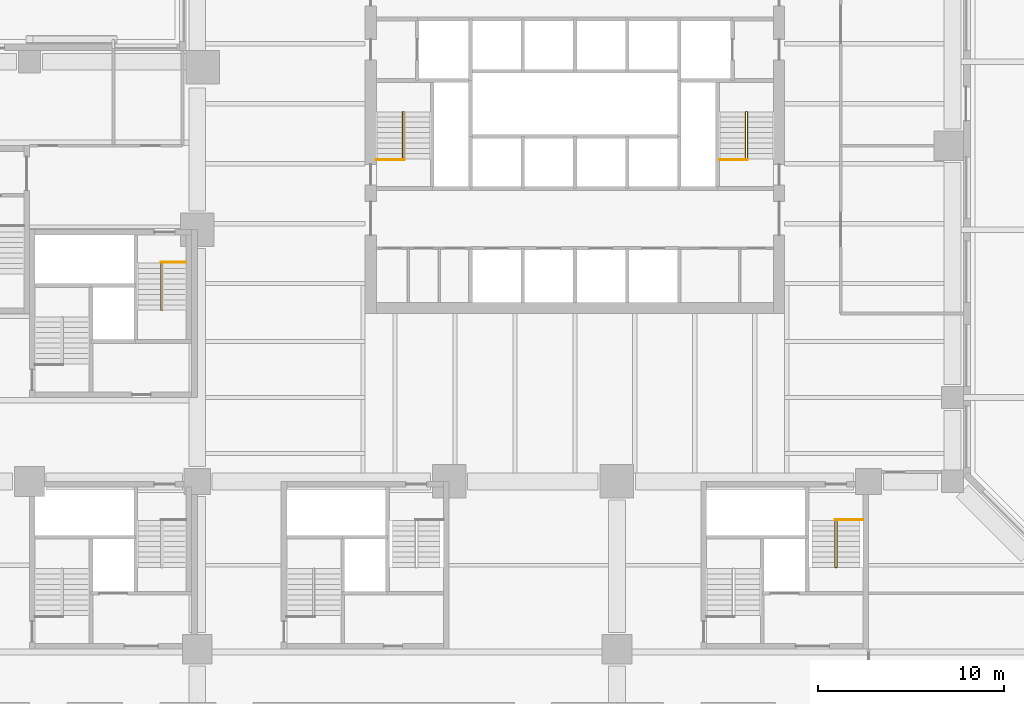
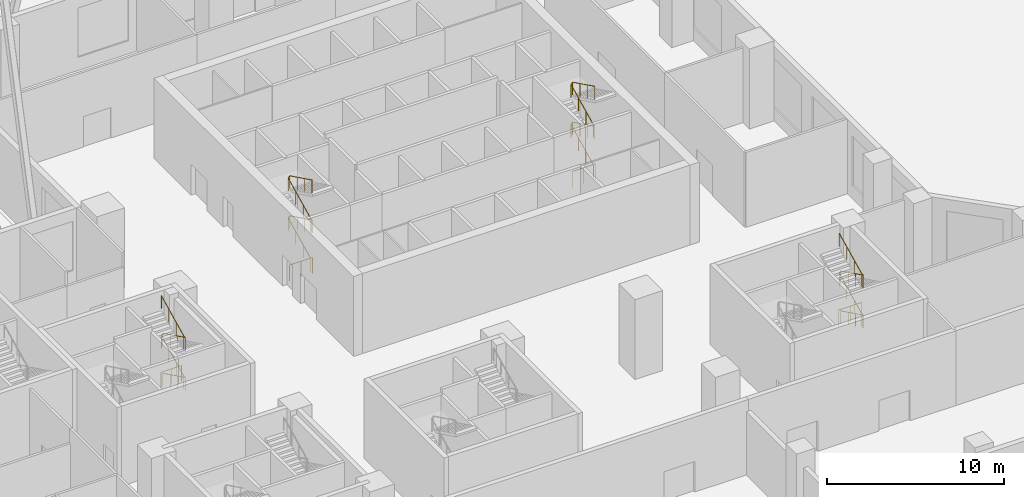
# One storey, part 33 of 33: 8 railings.
"""IFC4 building model written with IfcOpenShell, lengths in metres."""

from ifc_helpers import new_model, si_unit, direction, frame, origin, origin_2d, place, context, subcontext, project, spatial, circle, extrude, material, type_object, element, save


model = new_model("IFC4")

# Units and contexts
model_context = context("Model", 3, precision=1e-05, world=origin(), true_north=direction((0.0, 1.0)))
body_context = subcontext(model_context, "Body", "Model", "MODEL_VIEW")
ifc_project = project(units=[si_unit("LENGTHUNIT", "METRE"), si_unit("AREAUNIT", "SQUARE_METRE"), si_unit("VOLUMEUNIT", "CUBIC_METRE"), si_unit("PLANEANGLEUNIT", "RADIAN"), si_unit("MASSUNIT", "GRAM", prefix="KILO")], contexts=[model_context])

# Site, building, storey
site_placement = place(None, origin())
site = spatial("IfcSite", under=ifc_project, at=site_placement, CompositionType="ELEMENT")
building_placement = place(site_placement, origin())
building = spatial("IfcBuilding", under=site, at=building_placement, Name="Quoin Convention Tower", CompositionType="ELEMENT")
storey_placement = place(building_placement, frame((0.0, 0.0, 8.0)))
storey = spatial("IfcBuildingStorey", under=building, at=storey_placement, Name="L01", CompositionType="ELEMENT", Elevation=8.0)

# Railings
ifc_material = material(Name="Stainless steel", Category="steel")
railing_type_1 = type_object("IfcRailingType", Name="Stair handrail 900", PredefinedType="HANDRAIL", material=ifc_material)
railing_1_placement = place(storey_placement, frame((47.0048828125, 57.800048828125, 0.137451171875)))
element("IfcRailing", 1, at=railing_1_placement, inside=storey, type_object=railing_type_1, Name="SD1 handrail 1", PredefinedType="HANDRAIL", context=body_context, shape_type="SweptSolid", body=[
    extrude(circle(Radius=0.02392578125, at=origin_2d()), frame((0.0, 0.0, 0.8759765625), z_axis=(0.0, 0.897604431175, 0.440801866075), x_axis=(-1.0, 0.0, 0.0)), (0.0, 0.0, 1.0), 2.807373046875),
    extrude(circle(Radius=0.02392578125, at=origin_2d()), frame((0.0, 2.52001953125, 2.11328125), z_axis=(0.548169613923, 0.0, 0.836367188723), x_axis=(0.0, 1.0, 0.0)), (0.0, 0.0, 1.0), 0.164306640625),
    extrude(circle(Radius=0.02392578125, at=origin_2d()), frame((0.090087890625, 2.52001953125, 2.2509765625), z_axis=(0.0, -0.897604431175, 0.440801866075), x_axis=(1.0, 0.0, 0.0)), (0.0, 0.0, 1.0), 2.807373046875),
    extrude(circle(Radius=0.02392578125, at=origin_2d()), frame((0.090087890625, 0.0, 3.48828125), z_axis=(-0.548169613923, 0.0, 0.836367188723), x_axis=(0.0, -1.0, 0.0)), (0.0, 0.0, 1.0), 0.164306640625),
    extrude(circle(Radius=0.02392578125, at=origin_2d()), frame((0.0, 0.0, 3.6259765625), z_axis=(0.0, 0.897604431175, 0.440801866075), x_axis=(-1.0, 0.0, 0.0)), (0.0, 0.0, 1.0), 2.807373046875),
    extrude(circle(Radius=0.02392578125, at=origin_2d()), frame((0.0, 2.52001953125, 4.86328125), z_axis=(0.548169613923, 0.0, 0.836367188723), x_axis=(0.0, 1.0, 0.0)), (0.0, 0.0, 1.0), 0.164306640625),
    extrude(circle(Radius=0.02392578125, at=origin_2d()), frame((0.090087890625, 2.52001953125, 5.0009765625), z_axis=(0.0, -0.897604431175, 0.440801866075), x_axis=(1.0, 0.0, 0.0)), (0.0, 0.0, 1.0), 2.807373046875),
    extrude(circle(Radius=0.02099609375, at=origin_2d()), origin(), (0.0, 0.0, 1.0), 0.851806640625),
    extrude(circle(Radius=0.02099609375, at=origin_2d()), frame((0.0, 0.840087890625, 0.41259765625)), (0.0, 0.0, 1.0), 0.851806640625),
    extrude(circle(Radius=0.02099609375, at=origin_2d()), frame((0.0, 1.679931640625, 0.824951171875)), (0.0, 0.0, 1.0), 0.851806640625),
    extrude(circle(Radius=0.02099609375, at=origin_2d()), frame((0.0, 2.52001953125, 1.237548828125)), (0.0, 0.0, 1.0), 0.851806640625),
    extrude(circle(Radius=0.02099609375, at=origin_2d()), frame((0.090087890625, 2.52001953125, 1.375)), (0.0, 0.0, 1.0), 0.851806640625),
    extrude(circle(Radius=0.02099609375, at=origin_2d()), frame((0.090087890625, 1.679931640625, 1.78759765625)), (0.0, 0.0, 1.0), 0.851806640625),
    extrude(circle(Radius=0.02099609375, at=origin_2d()), frame((0.090087890625, 0.840087890625, 2.199951171875)), (0.0, 0.0, 1.0), 0.851806640625),
    extrude(circle(Radius=0.02099609375, at=origin_2d()), frame((0.090087890625, 0.0, 2.612548828125)), (0.0, 0.0, 1.0), 0.851806640625),
    extrude(circle(Radius=0.02099609375, at=origin_2d()), frame((0.0, 0.0, 2.75)), (0.0, 0.0, 1.0), 0.851806640625),
    extrude(circle(Radius=0.02099609375, at=origin_2d()), frame((0.0, 0.840087890625, 3.16259765625)), (0.0, 0.0, 1.0), 0.851806640625),
    extrude(circle(Radius=0.02099609375, at=origin_2d()), frame((0.0, 1.679931640625, 3.574951171875)), (0.0, 0.0, 1.0), 0.851806640625),
    extrude(circle(Radius=0.02099609375, at=origin_2d()), frame((0.0, 2.52001953125, 3.987548828125)), (0.0, 0.0, 1.0), 0.851806640625),
    extrude(circle(Radius=0.02099609375, at=origin_2d()), frame((0.090087890625, 2.52001953125, 4.125)), (0.0, 0.0, 1.0), 0.851806640625),
    extrude(circle(Radius=0.02099609375, at=origin_2d()), frame((0.090087890625, 1.679931640625, 4.53759765625)), (0.0, 0.0, 1.0), 0.851806640625),
    extrude(circle(Radius=0.02099609375, at=origin_2d()), frame((0.090087890625, 0.840087890625, 4.949951171875)), (0.0, 0.0, 1.0), 0.851806640625),
    extrude(circle(Radius=0.02099609375, at=origin_2d()), frame((0.090087890625, 0.0, 5.362548828125)), (0.0, 0.0, 1.0), 0.851806640625),
])
railing_2_placement = place(storey_placement, frame((65.405029296875, 57.800048828125, 0.137451171875)))
element("IfcRailing", 2, at=railing_2_placement, inside=storey, type_object=railing_type_1, Name="SD2 handrail 1", PredefinedType="HANDRAIL", context=body_context, shape_type="SweptSolid", body=[
    extrude(circle(Radius=0.02392578125, at=origin_2d()), frame((0.0, 0.0, 0.8759765625), z_axis=(0.0, 0.897604431175, 0.440801866075), x_axis=(-1.0, 0.0, 0.0)), (0.0, 0.0, 1.0), 2.807373046875),
    extrude(circle(Radius=0.02392578125, at=origin_2d()), frame((0.0, 2.52001953125, 2.11328125), z_axis=(0.548169613923, 0.0, 0.836367188723), x_axis=(0.0, 1.0, 0.0)), (0.0, 0.0, 1.0), 0.164306640625),
    extrude(circle(Radius=0.02392578125, at=origin_2d()), frame((0.090087890625, 2.52001953125, 2.2509765625), z_axis=(0.0, -0.897604431175, 0.440801866075), x_axis=(1.0, 0.0, 0.0)), (0.0, 0.0, 1.0), 2.807373046875),
    extrude(circle(Radius=0.02392578125, at=origin_2d()), frame((0.090087890625, 0.0, 3.48828125), z_axis=(-0.548169613923, 0.0, 0.836367188723), x_axis=(0.0, -1.0, 0.0)), (0.0, 0.0, 1.0), 0.164306640625),
    extrude(circle(Radius=0.02392578125, at=origin_2d()), frame((0.0, 0.0, 3.6259765625), z_axis=(0.0, 0.897604431175, 0.440801866075), x_axis=(-1.0, 0.0, 0.0)), (0.0, 0.0, 1.0), 2.807373046875),
    extrude(circle(Radius=0.02392578125, at=origin_2d()), frame((0.0, 2.52001953125, 4.86328125), z_axis=(0.548169613923, 0.0, 0.836367188723), x_axis=(0.0, 1.0, 0.0)), (0.0, 0.0, 1.0), 0.164306640625),
    extrude(circle(Radius=0.02392578125, at=origin_2d()), frame((0.090087890625, 2.52001953125, 5.0009765625), z_axis=(0.0, -0.897604431175, 0.440801866075), x_axis=(1.0, 0.0, 0.0)), (0.0, 0.0, 1.0), 2.807373046875),
    extrude(circle(Radius=0.02099609375, at=origin_2d()), origin(), (0.0, 0.0, 1.0), 0.851806640625),
    extrude(circle(Radius=0.02099609375, at=origin_2d()), frame((0.0, 0.840087890625, 0.41259765625)), (0.0, 0.0, 1.0), 0.851806640625),
    extrude(circle(Radius=0.02099609375, at=origin_2d()), frame((0.0, 1.679931640625, 0.824951171875)), (0.0, 0.0, 1.0), 0.851806640625),
    extrude(circle(Radius=0.02099609375, at=origin_2d()), frame((0.0, 2.52001953125, 1.237548828125)), (0.0, 0.0, 1.0), 0.851806640625),
    extrude(circle(Radius=0.02099609375, at=origin_2d()), frame((0.090087890625, 2.52001953125, 1.375)), (0.0, 0.0, 1.0), 0.851806640625),
    extrude(circle(Radius=0.02099609375, at=origin_2d()), frame((0.090087890625, 1.679931640625, 1.78759765625)), (0.0, 0.0, 1.0), 0.851806640625),
    extrude(circle(Radius=0.02099609375, at=origin_2d()), frame((0.090087890625, 0.840087890625, 2.199951171875)), (0.0, 0.0, 1.0), 0.851806640625),
    extrude(circle(Radius=0.02099609375, at=origin_2d()), frame((0.090087890625, 0.0, 2.612548828125)), (0.0, 0.0, 1.0), 0.851806640625),
    extrude(circle(Radius=0.02099609375, at=origin_2d()), frame((0.0, 0.0, 2.75)), (0.0, 0.0, 1.0), 0.851806640625),
    extrude(circle(Radius=0.02099609375, at=origin_2d()), frame((0.0, 0.840087890625, 3.16259765625)), (0.0, 0.0, 1.0), 0.851806640625),
    extrude(circle(Radius=0.02099609375, at=origin_2d()), frame((0.0, 1.679931640625, 3.574951171875)), (0.0, 0.0, 1.0), 0.851806640625),
    extrude(circle(Radius=0.02099609375, at=origin_2d()), frame((0.0, 2.52001953125, 3.987548828125)), (0.0, 0.0, 1.0), 0.851806640625),
    extrude(circle(Radius=0.02099609375, at=origin_2d()), frame((0.090087890625, 2.52001953125, 4.125)), (0.0, 0.0, 1.0), 0.851806640625),
    extrude(circle(Radius=0.02099609375, at=origin_2d()), frame((0.090087890625, 1.679931640625, 4.53759765625)), (0.0, 0.0, 1.0), 0.851806640625),
    extrude(circle(Radius=0.02099609375, at=origin_2d()), frame((0.090087890625, 0.840087890625, 4.949951171875)), (0.0, 0.0, 1.0), 0.851806640625),
    extrude(circle(Radius=0.02099609375, at=origin_2d()), frame((0.090087890625, 0.0, 5.362548828125)), (0.0, 0.0, 1.0), 0.851806640625),
])
railing_3_placement = place(storey_placement, frame((34.14501953125, 52.199951171875, 0.137451171875)))
element("IfcRailing", 3, at=railing_3_placement, inside=storey, type_object=railing_type_1, Name="SD4 handrail 1", PredefinedType="HANDRAIL", context=body_context, shape_type="SweptSolid", body=[
    extrude(circle(Radius=0.02392578125, at=origin_2d()), frame((0.0, 0.0, 0.8759765625), z_axis=(0.0, -0.897604431175, 0.440801866075), x_axis=(1.0, 0.0, 0.0)), (0.0, 0.0, 1.0), 2.807373046875),
    extrude(circle(Radius=0.02392578125, at=origin_2d()), frame((0.0, -2.52001953125, 2.11328125), z_axis=(-0.548169613923, 0.0, 0.836367188723), x_axis=(0.0, -1.0, 0.0)), (0.0, 0.0, 1.0), 0.164306640625),
    extrude(circle(Radius=0.02392578125, at=origin_2d()), frame((-0.090087890625, -2.52001953125, 2.2509765625), z_axis=(0.0, 0.897604431175, 0.440801866075), x_axis=(-1.0, 0.0, 0.0)), (0.0, 0.0, 1.0), 2.807373046875),
    extrude(circle(Radius=0.02392578125, at=origin_2d()), frame((-0.090087890625, 0.0, 3.48828125), z_axis=(0.548169613923, 0.0, 0.836367188723), x_axis=(0.0, 1.0, 0.0)), (0.0, 0.0, 1.0), 0.164306640625),
    extrude(circle(Radius=0.02392578125, at=origin_2d()), frame((0.0, 0.0, 3.6259765625), z_axis=(0.0, -0.897604431175, 0.440801866075), x_axis=(1.0, 0.0, 0.0)), (0.0, 0.0, 1.0), 2.807373046875),
    extrude(circle(Radius=0.02392578125, at=origin_2d()), frame((0.0, -2.52001953125, 4.86328125), z_axis=(-0.548169613923, 0.0, 0.836367188723), x_axis=(0.0, -1.0, 0.0)), (0.0, 0.0, 1.0), 0.164306640625),
    extrude(circle(Radius=0.02392578125, at=origin_2d()), frame((-0.090087890625, -2.52001953125, 5.0009765625), z_axis=(0.0, 0.897604431175, 0.440801866075), x_axis=(-1.0, 0.0, 0.0)), (0.0, 0.0, 1.0), 2.807373046875),
    extrude(circle(Radius=0.02099609375, at=origin_2d()), origin(), (0.0, 0.0, 1.0), 0.851806640625),
    extrude(circle(Radius=0.02099609375, at=origin_2d()), frame((0.0, -0.840087890625, 0.41259765625)), (0.0, 0.0, 1.0), 0.851806640625),
    extrude(circle(Radius=0.02099609375, at=origin_2d()), frame((0.0, -1.679931640625, 0.824951171875)), (0.0, 0.0, 1.0), 0.851806640625),
    extrude(circle(Radius=0.02099609375, at=origin_2d()), frame((0.0, -2.52001953125, 1.237548828125)), (0.0, 0.0, 1.0), 0.851806640625),
    extrude(circle(Radius=0.02099609375, at=origin_2d()), frame((-0.090087890625, -2.52001953125, 1.375)), (0.0, 0.0, 1.0), 0.851806640625),
    extrude(circle(Radius=0.02099609375, at=origin_2d()), frame((-0.090087890625, -1.679931640625, 1.78759765625)), (0.0, 0.0, 1.0), 0.851806640625),
    extrude(circle(Radius=0.02099609375, at=origin_2d()), frame((-0.090087890625, -0.840087890625, 2.199951171875)), (0.0, 0.0, 1.0), 0.851806640625),
    extrude(circle(Radius=0.02099609375, at=origin_2d()), frame((-0.090087890625, 0.0, 2.612548828125)), (0.0, 0.0, 1.0), 0.851806640625),
    extrude(circle(Radius=0.02099609375, at=origin_2d()), frame((0.0, 0.0, 2.75)), (0.0, 0.0, 1.0), 0.851806640625),
    extrude(circle(Radius=0.02099609375, at=origin_2d()), frame((0.0, -0.840087890625, 3.16259765625)), (0.0, 0.0, 1.0), 0.851806640625),
    extrude(circle(Radius=0.02099609375, at=origin_2d()), frame((0.0, -1.679931640625, 3.574951171875)), (0.0, 0.0, 1.0), 0.851806640625),
    extrude(circle(Radius=0.02099609375, at=origin_2d()), frame((0.0, -2.52001953125, 3.987548828125)), (0.0, 0.0, 1.0), 0.851806640625),
    extrude(circle(Radius=0.02099609375, at=origin_2d()), frame((-0.090087890625, -2.52001953125, 4.125)), (0.0, 0.0, 1.0), 0.851806640625),
    extrude(circle(Radius=0.02099609375, at=origin_2d()), frame((-0.090087890625, -1.679931640625, 4.53759765625)), (0.0, 0.0, 1.0), 0.851806640625),
    extrude(circle(Radius=0.02099609375, at=origin_2d()), frame((-0.090087890625, -0.840087890625, 4.949951171875)), (0.0, 0.0, 1.0), 0.851806640625),
    extrude(circle(Radius=0.02099609375, at=origin_2d()), frame((-0.090087890625, 0.0, 5.362548828125)), (0.0, 0.0, 1.0), 0.851806640625),
])
railing_4_placement = place(storey_placement, frame((70.294921875, 38.39990234375, 0.137451171875)))
element("IfcRailing", 4, at=railing_4_placement, inside=storey, type_object=railing_type_1, Name="SD10 handrail 1", PredefinedType="HANDRAIL", context=body_context, shape_type="SweptSolid", body=[
    extrude(circle(Radius=0.02392578125, at=origin_2d()), frame((0.0, 0.0, 0.8759765625), z_axis=(0.0, -0.897604431175, 0.440801866075), x_axis=(1.0, 0.0, 0.0)), (0.0, 0.0, 1.0), 2.807373046875),
    extrude(circle(Radius=0.02392578125, at=origin_2d()), frame((0.0, -2.52001953125, 2.11328125), z_axis=(-0.547129183664, 0.0, 0.837048180443), x_axis=(0.0, -1.0, 0.0)), (0.0, 0.0, 1.0), 0.164306640625),
    extrude(circle(Radius=0.02392578125, at=origin_2d()), frame((-0.08984375, -2.52001953125, 2.2509765625), z_axis=(0.0, 0.897604431175, 0.440801866075), x_axis=(-1.0, 0.0, 0.0)), (0.0, 0.0, 1.0), 2.807373046875),
    extrude(circle(Radius=0.02392578125, at=origin_2d()), frame((-0.08984375, 0.0, 3.48828125), z_axis=(0.547129183664, 0.0, 0.837048180443), x_axis=(0.0, 1.0, 0.0)), (0.0, 0.0, 1.0), 0.164306640625),
    extrude(circle(Radius=0.02392578125, at=origin_2d()), frame((0.0, 0.0, 3.6259765625), z_axis=(0.0, -0.897604431175, 0.440801866075), x_axis=(1.0, 0.0, 0.0)), (0.0, 0.0, 1.0), 2.807373046875),
    extrude(circle(Radius=0.02392578125, at=origin_2d()), frame((0.0, -2.52001953125, 4.86328125), z_axis=(-0.547129183664, 0.0, 0.837048180443), x_axis=(0.0, -1.0, 0.0)), (0.0, 0.0, 1.0), 0.164306640625),
    extrude(circle(Radius=0.02392578125, at=origin_2d()), frame((-0.08984375, -2.52001953125, 5.0009765625), z_axis=(0.0, 0.897604431175, 0.440801866075), x_axis=(-1.0, 0.0, 0.0)), (0.0, 0.0, 1.0), 2.807373046875),
    extrude(circle(Radius=0.02099609375, at=origin_2d()), origin(), (0.0, 0.0, 1.0), 0.851806640625),
    extrude(circle(Radius=0.02099609375, at=origin_2d()), frame((0.0, -0.840087890625, 0.41259765625)), (0.0, 0.0, 1.0), 0.851806640625),
    extrude(circle(Radius=0.02099609375, at=origin_2d()), frame((0.0, -1.679931640625, 0.824951171875)), (0.0, 0.0, 1.0), 0.851806640625),
    extrude(circle(Radius=0.02099609375, at=origin_2d()), frame((0.0, -2.52001953125, 1.237548828125)), (0.0, 0.0, 1.0), 0.851806640625),
    extrude(circle(Radius=0.02099609375, at=origin_2d()), frame((-0.08984375, -2.52001953125, 1.375)), (0.0, 0.0, 1.0), 0.851806640625),
    extrude(circle(Radius=0.02099609375, at=origin_2d()), frame((-0.08984375, -1.679931640625, 1.78759765625)), (0.0, 0.0, 1.0), 0.851806640625),
    extrude(circle(Radius=0.02099609375, at=origin_2d()), frame((-0.08984375, -0.840087890625, 2.199951171875)), (0.0, 0.0, 1.0), 0.851806640625),
    extrude(circle(Radius=0.02099609375, at=origin_2d()), frame((-0.08984375, 0.0, 2.612548828125)), (0.0, 0.0, 1.0), 0.851806640625),
    extrude(circle(Radius=0.02099609375, at=origin_2d()), frame((0.0, 0.0, 2.75)), (0.0, 0.0, 1.0), 0.851806640625),
    extrude(circle(Radius=0.02099609375, at=origin_2d()), frame((0.0, -0.840087890625, 3.16259765625)), (0.0, 0.0, 1.0), 0.851806640625),
    extrude(circle(Radius=0.02099609375, at=origin_2d()), frame((0.0, -1.679931640625, 3.574951171875)), (0.0, 0.0, 1.0), 0.851806640625),
    extrude(circle(Radius=0.02099609375, at=origin_2d()), frame((0.0, -2.52001953125, 3.987548828125)), (0.0, 0.0, 1.0), 0.851806640625),
    extrude(circle(Radius=0.02099609375, at=origin_2d()), frame((-0.08984375, -2.52001953125, 4.125)), (0.0, 0.0, 1.0), 0.851806640625),
    extrude(circle(Radius=0.02099609375, at=origin_2d()), frame((-0.08984375, -1.679931640625, 4.53759765625)), (0.0, 0.0, 1.0), 0.851806640625),
    extrude(circle(Radius=0.02099609375, at=origin_2d()), frame((-0.08984375, -0.840087890625, 4.949951171875)), (0.0, 0.0, 1.0), 0.851806640625),
    extrude(circle(Radius=0.02099609375, at=origin_2d()), frame((-0.08984375, 0.0, 5.362548828125)), (0.0, 0.0, 1.0), 0.851806640625),
])
railing_type_2 = type_object("IfcRailingType", Name="Stair top guard 1100", PredefinedType="GUARDRAIL", material=ifc_material)
railing_5_placement = place(storey_placement, frame((45.60009765625, 57.75, 0.0)))
element("IfcRailing", 5, at=railing_5_placement, inside=storey, type_object=railing_type_2, Name="SD1 top guard", PredefinedType="GUARDRAIL", context=body_context, shape_type="SweptSolid", body=[
    extrude(circle(Radius=0.02392578125, at=origin_2d()), frame((0.0, 0.0, 1.076171875), z_axis=(1.0, 0.0, 0.0), x_axis=(0.0, 1.0, 0.0)), (0.0, 0.0, 1.0), 1.494873046875),
    extrude(circle(Radius=0.02099609375, at=origin_2d()), origin(), (0.0, 0.0, 1.0), 1.052001953125),
    extrude(circle(Radius=0.02099609375, at=origin_2d()), frame((0.74755859375, 0.0, 0.0)), (0.0, 0.0, 1.0), 1.052001953125),
    extrude(circle(Radius=0.02099609375, at=origin_2d()), frame((1.494873046875, 0.0, 0.0)), (0.0, 0.0, 1.0), 1.052001953125),
])
railing_6_placement = place(storey_placement, frame((64.0, 57.75, 0.0)))
element("IfcRailing", 6, at=railing_6_placement, inside=storey, type_object=railing_type_2, Name="SD2 top guard", PredefinedType="GUARDRAIL", context=body_context, shape_type="SweptSolid", body=[
    extrude(circle(Radius=0.02392578125, at=origin_2d()), frame((0.0, 0.0, 1.076171875), z_axis=(1.0, 0.0, 0.0), x_axis=(0.0, 1.0, 0.0)), (0.0, 0.0, 1.0), 1.4951171875),
    extrude(circle(Radius=0.02099609375, at=origin_2d()), origin(), (0.0, 0.0, 1.0), 1.052001953125),
    extrude(circle(Radius=0.02099609375, at=origin_2d()), frame((0.74755859375, 0.0, 0.0)), (0.0, 0.0, 1.0), 1.052001953125),
    extrude(circle(Radius=0.02099609375, at=origin_2d()), frame((1.4951171875, 0.0, 0.0)), (0.0, 0.0, 1.0), 1.052001953125),
])
railing_7_placement = place(storey_placement, frame((35.39990234375, 52.25, 0.0)))
element("IfcRailing", 7, at=railing_7_placement, inside=storey, type_object=railing_type_2, Name="SD4 top guard", PredefinedType="GUARDRAIL", context=body_context, shape_type="SweptSolid", body=[
    extrude(circle(Radius=0.02392578125, at=origin_2d()), frame((0.0, 0.0, 1.076171875), z_axis=(-1.0, 0.0, 0.0), x_axis=(0.0, -1.0, 0.0)), (0.0, 0.0, 1.0), 1.344970703125),
    extrude(circle(Radius=0.02099609375, at=origin_2d()), origin(), (0.0, 0.0, 1.0), 1.052001953125),
    extrude(circle(Radius=0.02099609375, at=origin_2d()), frame((-0.67236328125, 0.0, 0.0)), (0.0, 0.0, 1.0), 1.052001953125),
    extrude(circle(Radius=0.02099609375, at=origin_2d()), frame((-1.344970703125, 0.0, 0.0)), (0.0, 0.0, 1.0), 1.052001953125),
])
railing_8_placement = place(storey_placement, frame((71.699951171875, 38.449951171875, 0.0)))
element("IfcRailing", 8, at=railing_8_placement, inside=storey, type_object=railing_type_2, Name="SD10 top guard", PredefinedType="GUARDRAIL", context=body_context, shape_type="SweptSolid", body=[
    extrude(circle(Radius=0.02392578125, at=origin_2d()), frame((0.0, 0.0, 1.076171875), z_axis=(-1.0, 0.0, 0.0), x_axis=(0.0, -1.0, 0.0)), (0.0, 0.0, 1.0), 1.494873046875),
    extrude(circle(Radius=0.02099609375, at=origin_2d()), origin(), (0.0, 0.0, 1.0), 1.052001953125),
    extrude(circle(Radius=0.02099609375, at=origin_2d()), frame((-0.74755859375, 0.0, 0.0)), (0.0, 0.0, 1.0), 1.052001953125),
    extrude(circle(Radius=0.02099609375, at=origin_2d()), frame((-1.494873046875, 0.0, 0.0)), (0.0, 0.0, 1.0), 1.052001953125),
])

save(model, "model.ifc")
